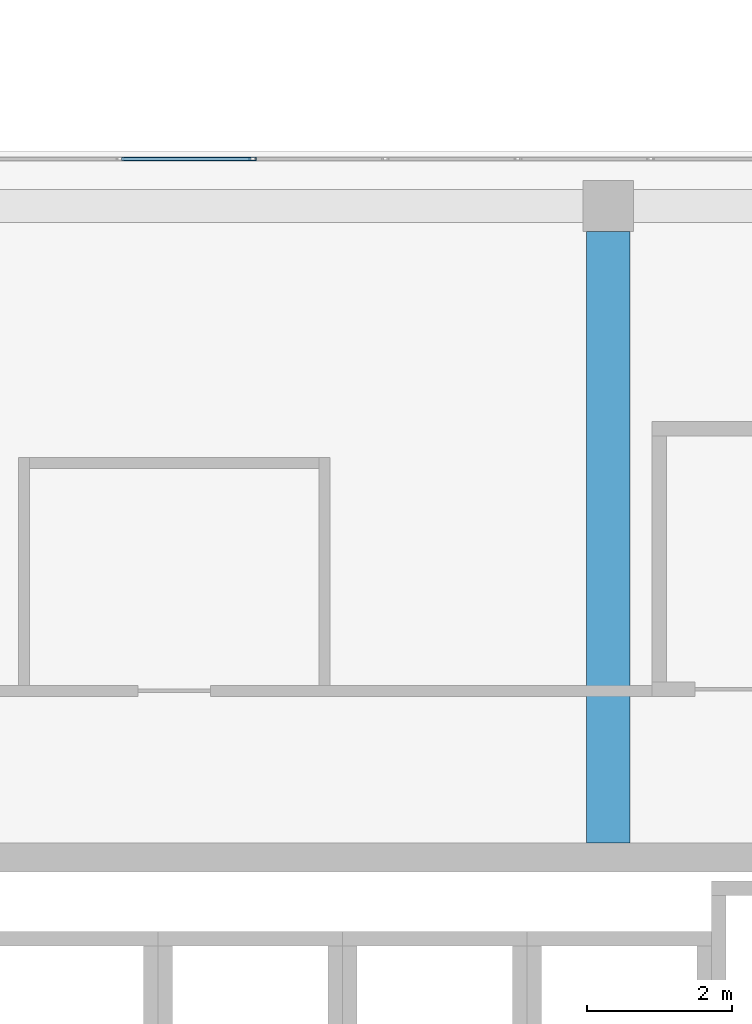
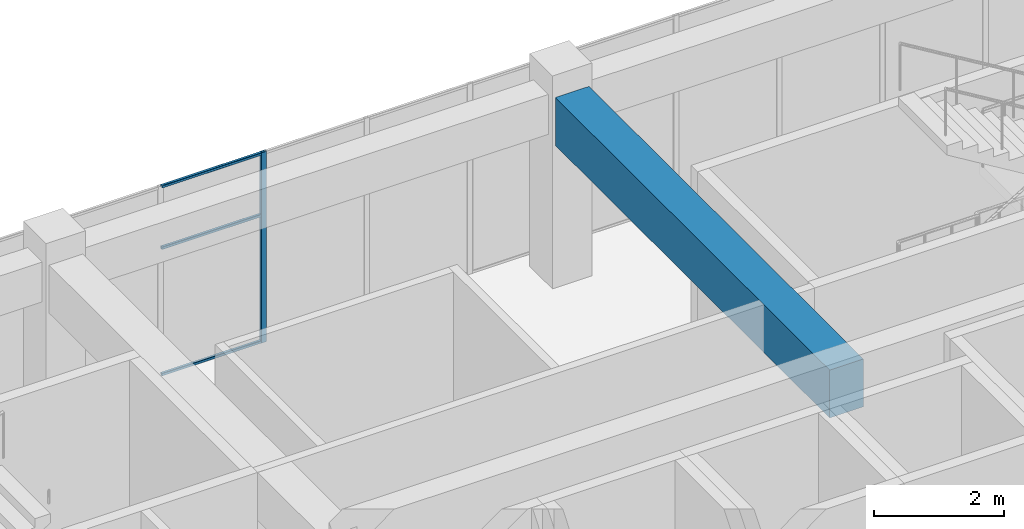
# One storey, part 22 of 32: 4 members, 1 beam, 1 element without a shape of its own.
"""IFC4 building model written with IfcOpenShell, lengths in metres."""

from ifc_helpers import new_model, si_unit, direction, frame, origin, origin_2d, place, context, subcontext, project, spatial, rectangle, hollow_rectangle, extrude, material, layer, layer_set, material_profile, profile_set, type_object, element, aggregate, save


model = new_model("IFC4")

# Units and contexts
model_context = context("Model", 3, precision=1e-05, world=origin(), true_north=direction((0.0, 1.0)))
body_context = subcontext(model_context, "Body", "Model", "MODEL_VIEW")
ifc_project = project(units=[si_unit("LENGTHUNIT", "METRE"), si_unit("AREAUNIT", "SQUARE_METRE"), si_unit("VOLUMEUNIT", "CUBIC_METRE"), si_unit("PLANEANGLEUNIT", "RADIAN"), si_unit("MASSUNIT", "GRAM", prefix="KILO")], contexts=[model_context])

# Site, building, storey
site_placement = place(None, origin())
site = spatial("IfcSite", under=ifc_project, at=site_placement, CompositionType="ELEMENT")
building_placement = place(site_placement, origin())
building = spatial("IfcBuilding", under=site, at=building_placement, Name="Tuart Plaza Theatre", CompositionType="ELEMENT")
storey_placement = place(building_placement, frame((0.0, 0.0, 37.5)))
storey = spatial("IfcBuildingStorey", under=building, at=storey_placement, Name="L09", CompositionType="ELEMENT", Elevation=37.5)

# Beam
ifc_material_1 = material(Name="Concrete N40 (40 MPa)", Category="concrete")
ifc_material_profile_1 = material_profile(ifc_material_1, rectangle(XDim=0.60009765625, YDim=0.89990234375, at=origin_2d()), Name="BEAM 600x900 Concrete N40 (40 MPa)")
ifc_profile_set_1 = profile_set([ifc_material_profile_1], Name="Concrete N40 (40 MPa)")
beam_type = type_object("IfcBeamType", Name="BEAM 600x900 Concrete N40 (40 MPa)", PredefinedType="BEAM", material=ifc_profile_set_1)
beam_placement = place(storey_placement, frame((132.0, 83.199951171875, 3.1298828125), z_axis=(0.0, 1.0, 0.0), x_axis=(-1.0, 0.0, 0.0)))
element("IfcBeam", 1, at=beam_placement, inside=storey, type_object=beam_type, Name="RB270", PredefinedType="BEAM", context=body_context, shape_type="SweptSolid", body=[
    extrude(rectangle(XDim=0.60009765625, YDim=0.89990234375, at=origin_2d()), origin(), (0.0, 0.0, 1.0), 8.449951171875),
])

# Curtain wall, members
ifc_material_2 = material(Name="Aluminium and glass", Category="aluminium")
ifc_layer = layer(ifc_material_2, 0.10009765625)
ifc_layer_set = layer_set([ifc_layer], Name="CURTAIN WALL 1800 module")
curtain_wall_type = type_object("IfcCurtainWallType", Name="CURTAIN WALL 1800 module", PredefinedType="NOTDEFINED", material=ifc_layer_set)
curtain_wall_placement = place(storey_placement, origin())
curtain_wall = element("IfcCurtainWall", 2, at=curtain_wall_placement, inside=storey, type_object=curtain_wall_type, Name="CW95", PredefinedType="NOTDEFINED")
ifc_material_3 = material(Name="Aluminium 6063-T5", Category="aluminium")
ifc_material_profile_2 = material_profile(ifc_material_3, hollow_rectangle(XDim=0.050048828125, YDim=0.10009765625, WallThickness=0.00390625, InnerFilletRadius=0.00390625, OuterFilletRadius=0.008056640625, at=origin_2d()), Name="RHS 100x50x4")
ifc_profile_set_2 = profile_set([ifc_material_profile_2], Name="Aluminium 6063-T5")
member_type_1 = type_object("IfcMemberType", Name="MULLION RHS 100x50x4", PredefinedType="MULLION", material=ifc_profile_set_2)
member_1_placement = place(storey_placement, frame((127.083251953125, 92.64990234375, 0.0), z_axis=(0.0, 0.0, 1.0), x_axis=(0.0, -1.0, 0.0)))
member_1 = element("IfcMember", 3, at=member_1_placement, type_object=member_type_1, Name="CW95 mullion 9", PredefinedType="MULLION", context=body_context, shape_type="SweptSolid", body=[
    extrude(hollow_rectangle(XDim=0.050048828125, YDim=0.10009765625, WallThickness=0.00390625, InnerFilletRadius=0.00390625, OuterFilletRadius=0.008056640625, at=origin_2d()), origin(), (0.0, 0.0, 1.0), 3.580078125),
])
ifc_material_4 = material(Name="Aluminium 6063-T5", Category="aluminium")
ifc_material_profile_3 = material_profile(ifc_material_4, hollow_rectangle(XDim=0.050048828125, YDim=0.050048828125, WallThickness=0.00390625, InnerFilletRadius=0.00390625, OuterFilletRadius=0.008056640625, at=origin_2d()), Name="RHS 50x50x4")
ifc_profile_set_3 = profile_set([ifc_material_profile_3], Name="Aluminium 6063-T5")
member_type_2 = type_object("IfcMemberType", Name="TRANSOM RHS 50x50x4", PredefinedType="USERDEFINED", material=ifc_profile_set_3)
member_2_placement = place(storey_placement, frame((127.058349609375, 92.64990234375, 0.02490234375), z_axis=(-1.0, 0.0, 0.0), x_axis=(0.0, -1.0, 0.0)))
member_2 = element("IfcMember", 4, at=member_2_placement, type_object=member_type_2, Name="CW95 transom 9.1", ObjectType="TRANSOM", PredefinedType="USERDEFINED", context=body_context, shape_type="SweptSolid", body=[
    extrude(hollow_rectangle(XDim=0.050048828125, YDim=0.050048828125, WallThickness=0.00390625, InnerFilletRadius=0.00390625, OuterFilletRadius=0.008056640625, at=origin_2d()), origin(), (0.0, 0.0, 1.0), 1.783447265625),
])
member_3_placement = place(storey_placement, frame((127.058349609375, 92.64990234375, 2.39990234375), z_axis=(-1.0, 0.0, 0.0), x_axis=(0.0, -1.0, 0.0)))
member_3 = element("IfcMember", 5, at=member_3_placement, type_object=member_type_2, Name="CW95 transom 9.2", ObjectType="TRANSOM", PredefinedType="USERDEFINED", context=body_context, shape_type="SweptSolid", body=[
    extrude(hollow_rectangle(XDim=0.050048828125, YDim=0.050048828125, WallThickness=0.00390625, InnerFilletRadius=0.00390625, OuterFilletRadius=0.008056640625, at=origin_2d()), origin(), (0.0, 0.0, 1.0), 1.783447265625),
])
member_4_placement = place(storey_placement, frame((127.058349609375, 92.64990234375, 3.554931640625), z_axis=(-1.0, 0.0, 0.0), x_axis=(0.0, -1.0, 0.0)))
member_4 = element("IfcMember", 6, at=member_4_placement, type_object=member_type_2, Name="CW95 transom 9.3", ObjectType="TRANSOM", PredefinedType="USERDEFINED", context=body_context, shape_type="SweptSolid", body=[
    extrude(hollow_rectangle(XDim=0.050048828125, YDim=0.050048828125, WallThickness=0.00390625, InnerFilletRadius=0.00390625, OuterFilletRadius=0.008056640625, at=origin_2d()), origin(), (0.0, 0.0, 1.0), 1.783447265625),
])
aggregate(curtain_wall, [member_1, member_2, member_3, member_4])

save(model, "model.ifc")
